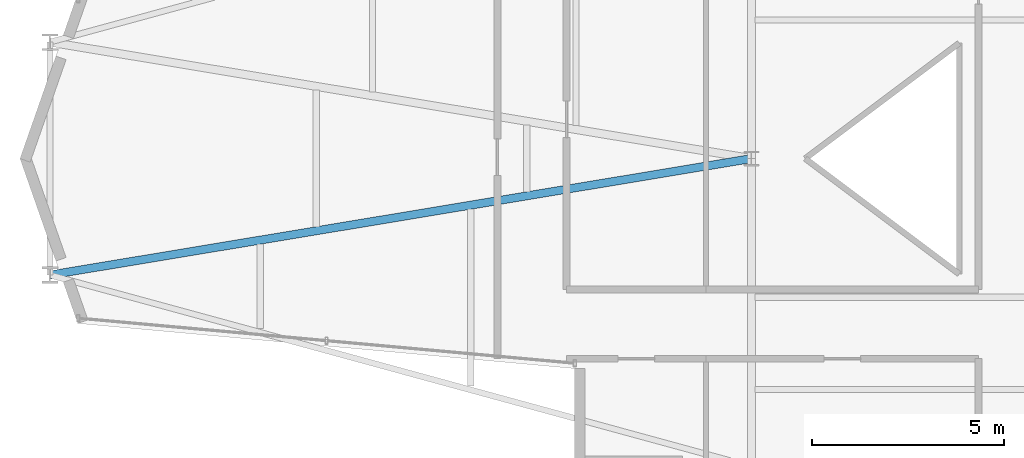
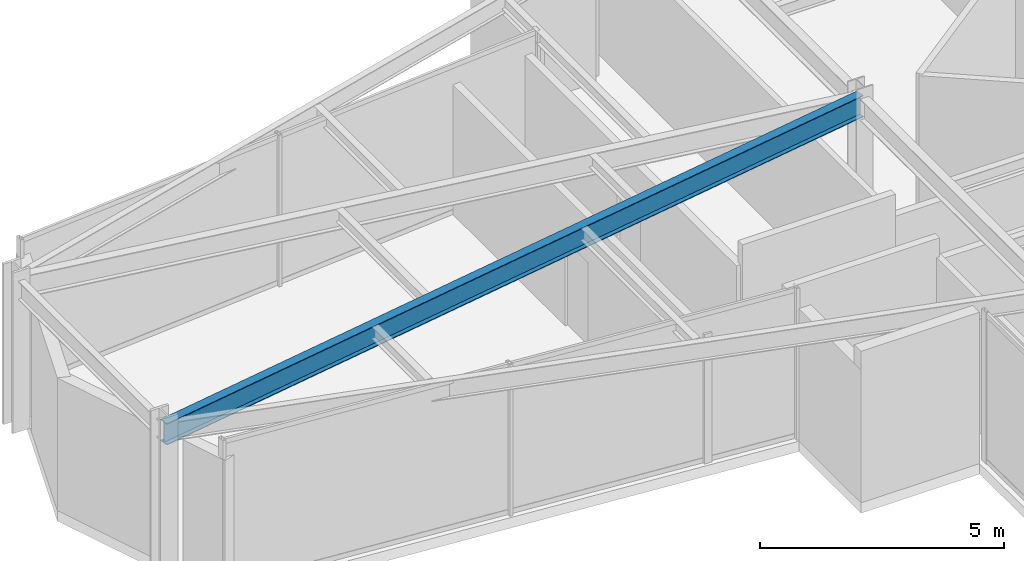
# One storey, part 5 of 23: 1 beam.
"""IFC4 building model written with IfcOpenShell, lengths in metres."""

from ifc_helpers import new_model, si_unit, direction, frame, origin, origin_2d, place, context, subcontext, project, spatial, i_section, extrude, material, material_profile, profile_set, type_object, element, save


model = new_model("IFC4")

# Units and contexts
model_context = context("Model", 3, precision=1e-05, world=origin(), true_north=direction((0.0, 1.0)))
body_context = subcontext(model_context, "Body", "Model", "MODEL_VIEW")
ifc_project = project(units=[si_unit("LENGTHUNIT", "METRE"), si_unit("AREAUNIT", "SQUARE_METRE"), si_unit("VOLUMEUNIT", "CUBIC_METRE"), si_unit("PLANEANGLEUNIT", "RADIAN"), si_unit("MASSUNIT", "GRAM", prefix="KILO")], contexts=[model_context])

# Site, building, storey
site_placement = place(None, origin())
site = spatial("IfcSite", under=ifc_project, at=site_placement, CompositionType="ELEMENT")
building_placement = place(site_placement, origin())
building = spatial("IfcBuilding", under=site, at=building_placement, Name="Veymaron Broadcast Tower", CompositionType="ELEMENT")
storey_placement = place(building_placement, frame((0.0, 0.0, 191.85009765625)))
storey = spatial("IfcBuildingStorey", under=building, at=storey_placement, Name="L44", CompositionType="ELEMENT", Elevation=191.85009765625)

# Beam
ifc_material = material(Name="Structural steel ASTM A992 Gr 50", Category="steel")
ifc_material_profile = material_profile(ifc_material, i_section(OverallWidth=0.2099609375, OverallDepth=0.537109375, WebThickness=0.010986328125, FlangeThickness=0.017333984375, at=origin_2d()), Name="W530X101")
ifc_profile_set = profile_set([ifc_material_profile], Name="Structural steel ASTM A992 Gr 50")
beam_type = type_object("IfcBeamType", Name="BM-FG3", PredefinedType="BEAM", material=ifc_profile_set)
beam_placement = place(storey_placement, frame((12.97509765625, 20.97509765625, 3.521484375), z_axis=(0.986504066629, 0.163736759843, 0.0), x_axis=(-0.163736759843, 0.986504066629, 0.0)))
element("IfcBeam", 1, at=beam_placement, inside=storey, type_object=beam_type, Name="L44 primary structural floor girder", PredefinedType="BEAM", context=body_context, shape_type="SweptSolid", body=[
    extrude(i_section(OverallWidth=0.2099609375, OverallDepth=0.537109375, WebThickness=0.010986328125, FlangeThickness=0.017333984375, at=origin_2d()), origin(), (0.0, 0.0, 1.0), 18.47412109375),
])

save(model, "model.ifc")
